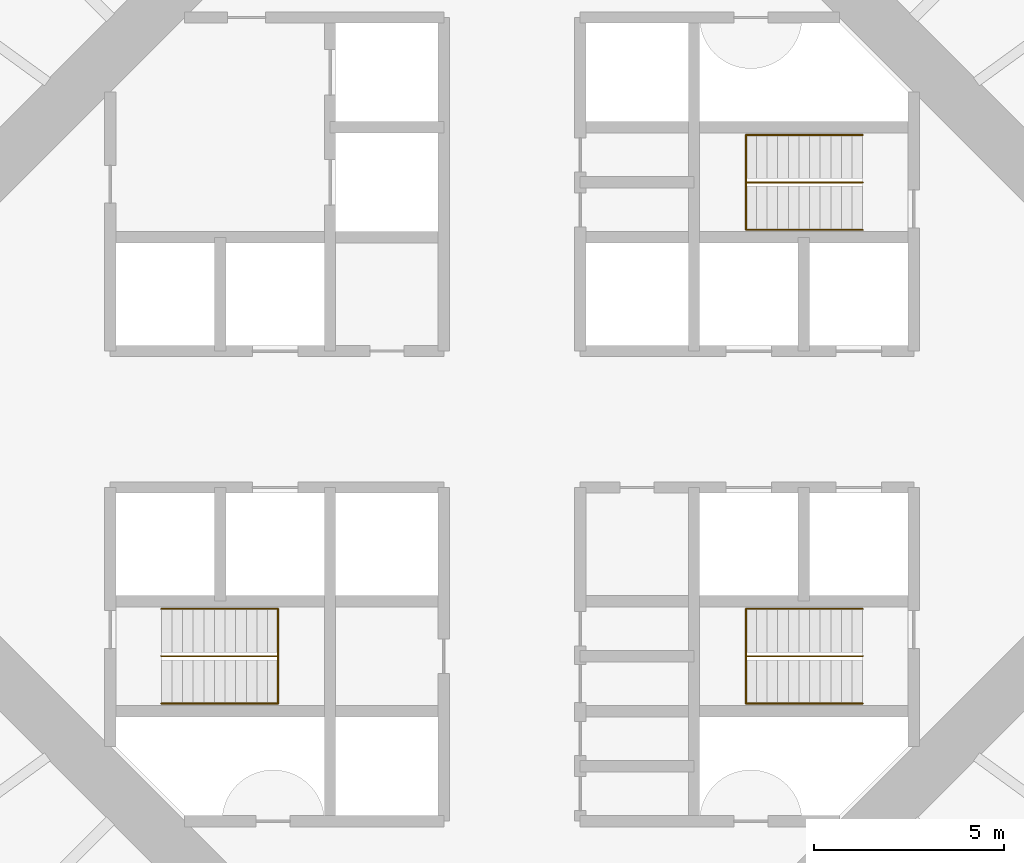
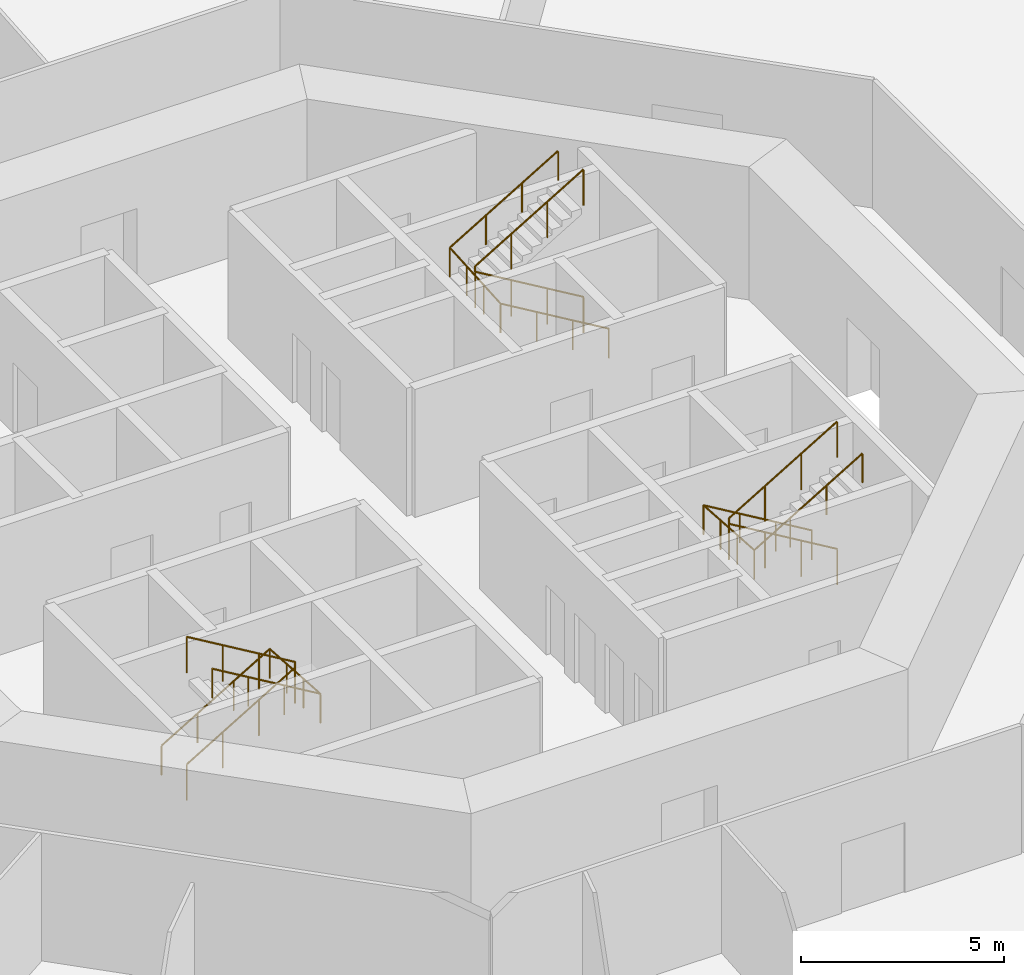
# One storey, part 13 of 13: 6 railings.
"""IFC4 building model written with IfcOpenShell, lengths in metres."""

from ifc_helpers import new_model, si_unit, direction, frame, origin, origin_2d, place, context, subcontext, project, spatial, circle, extrude, material, type_object, element, save


model = new_model("IFC4")

# Units and contexts
model_context = context("Model", 3, precision=1e-05, world=origin(), true_north=direction((0.0, 1.0)))
body_context = subcontext(model_context, "Body", "Model", "MODEL_VIEW")
ifc_project = project(units=[si_unit("LENGTHUNIT", "METRE"), si_unit("AREAUNIT", "SQUARE_METRE"), si_unit("VOLUMEUNIT", "CUBIC_METRE"), si_unit("PLANEANGLEUNIT", "RADIAN"), si_unit("MASSUNIT", "GRAM", prefix="KILO")], contexts=[model_context])

# Site, building, storey
site_placement = place(None, origin())
site = spatial("IfcSite", under=ifc_project, at=site_placement, CompositionType="ELEMENT")
building_placement = place(site_placement, origin())
building = spatial("IfcBuilding", under=site, at=building_placement, Name="Entoto Ring Tower", CompositionType="ELEMENT")
storey_placement = place(building_placement, frame((0.0, 0.0, 46.0)))
storey = spatial("IfcBuildingStorey", under=building, at=storey_placement, Name="L09", CompositionType="ELEMENT", Elevation=46.0)

# Railings
ifc_material_1 = material(Name="Steel S275", Category="steel")
railing_type_1 = type_object("IfcRailingType", Name="Stair guard 1100 mm steel", PredefinedType="GUARDRAIL", material=ifc_material_1)
railing_1_placement = place(storey_placement, frame((99.25, 86.25, 0.166748046875)))
element("IfcRailing", 1, at=railing_1_placement, inside=storey, type_object=railing_type_1, Name="Guard ST1", PredefinedType="GUARDRAIL", context=body_context, shape_type="SweptSolid", body=[
    extrude(circle(Radius=0.02392578125, at=origin_2d()), frame((0.0, 0.0, 1.076171875), z_axis=(-0.859308565015, 0.0, 0.511457515432), x_axis=(0.0, -1.0, 0.0)), (0.0, 0.0, 1.0), 3.58447265625),
    extrude(circle(Radius=0.02392578125, at=origin_2d()), frame((-3.080078125, 0.0, 2.9091796875), z_axis=(0.0, 0.0, 1.0), x_axis=(1.0, 0.0, 0.0)), (0.0, 0.0, 1.0), 0.166748046875),
    extrude(circle(Radius=0.02392578125, at=origin_2d()), frame((-3.080078125, 0.0, 3.076171875), z_axis=(0.859308565015, 0.0, 0.511457515432), x_axis=(0.0, 1.0, 0.0)), (0.0, 0.0, 1.0), 3.58447265625),
    extrude(circle(Radius=0.02099609375, at=origin_2d()), origin(), (0.0, 0.0, 1.0), 1.052001953125),
    extrude(circle(Radius=0.02099609375, at=origin_2d()), frame((-1.026611328125, 0.0, 0.611083984375)), (0.0, 0.0, 1.0), 1.052001953125),
    extrude(circle(Radius=0.02099609375, at=origin_2d()), frame((-2.053466796875, 0.0, 1.22216796875)), (0.0, 0.0, 1.0), 1.052001953125),
    extrude(circle(Radius=0.02099609375, at=origin_2d()), frame((-3.080078125, 0.0, 1.833251953125)), (0.0, 0.0, 1.0), 1.052001953125),
    extrude(circle(Radius=0.02099609375, at=origin_2d()), frame((-3.080078125, 0.0, 2.0)), (0.0, 0.0, 1.0), 1.052001953125),
    extrude(circle(Radius=0.02099609375, at=origin_2d()), frame((-2.053466796875, 0.0, 2.611083984375)), (0.0, 0.0, 1.0), 1.052001953125),
    extrude(circle(Radius=0.02099609375, at=origin_2d()), frame((-1.026611328125, 0.0, 3.22216796875)), (0.0, 0.0, 1.0), 1.052001953125),
    extrude(circle(Radius=0.02099609375, at=origin_2d()), frame((0.0, 0.0, 3.833251953125)), (0.0, 0.0, 1.0), 1.052001953125),
])
railing_2_placement = place(storey_placement, frame((80.75, 73.75, 0.166748046875)))
element("IfcRailing", 2, at=railing_2_placement, inside=storey, type_object=railing_type_1, Name="Guard ST2", PredefinedType="GUARDRAIL", context=body_context, shape_type="SweptSolid", body=[
    extrude(circle(Radius=0.02392578125, at=origin_2d()), frame((0.0, 0.0, 1.076171875), z_axis=(0.859308565015, 0.0, 0.511457515432), x_axis=(0.0, 1.0, 0.0)), (0.0, 0.0, 1.0), 3.58447265625),
    extrude(circle(Radius=0.02392578125, at=origin_2d()), frame((3.080078125, 0.0, 2.9091796875), z_axis=(0.0, 0.0, 1.0), x_axis=(1.0, 0.0, 0.0)), (0.0, 0.0, 1.0), 0.166748046875),
    extrude(circle(Radius=0.02392578125, at=origin_2d()), frame((3.080078125, 0.0, 3.076171875), z_axis=(-0.859308565015, 0.0, 0.511457515432), x_axis=(0.0, -1.0, 0.0)), (0.0, 0.0, 1.0), 3.58447265625),
    extrude(circle(Radius=0.02099609375, at=origin_2d()), origin(), (0.0, 0.0, 1.0), 1.052001953125),
    extrude(circle(Radius=0.02099609375, at=origin_2d()), frame((1.026611328125, 0.0, 0.611083984375)), (0.0, 0.0, 1.0), 1.052001953125),
    extrude(circle(Radius=0.02099609375, at=origin_2d()), frame((2.053466796875, 0.0, 1.22216796875)), (0.0, 0.0, 1.0), 1.052001953125),
    extrude(circle(Radius=0.02099609375, at=origin_2d()), frame((3.080078125, 0.0, 1.833251953125)), (0.0, 0.0, 1.0), 1.052001953125),
    extrude(circle(Radius=0.02099609375, at=origin_2d()), frame((3.080078125, 0.0, 2.0)), (0.0, 0.0, 1.0), 1.052001953125),
    extrude(circle(Radius=0.02099609375, at=origin_2d()), frame((2.053466796875, 0.0, 2.611083984375)), (0.0, 0.0, 1.0), 1.052001953125),
    extrude(circle(Radius=0.02099609375, at=origin_2d()), frame((1.026611328125, 0.0, 3.22216796875)), (0.0, 0.0, 1.0), 1.052001953125),
    extrude(circle(Radius=0.02099609375, at=origin_2d()), frame((0.0, 0.0, 3.833251953125)), (0.0, 0.0, 1.0), 1.052001953125),
])
railing_3_placement = place(storey_placement, frame((99.25, 73.75, 0.166748046875)))
element("IfcRailing", 3, at=railing_3_placement, inside=storey, type_object=railing_type_1, Name="Guard ST3", PredefinedType="GUARDRAIL", context=body_context, shape_type="SweptSolid", body=[
    extrude(circle(Radius=0.02392578125, at=origin_2d()), frame((0.0, 0.0, 1.076171875), z_axis=(-0.859308565015, 0.0, 0.511457515432), x_axis=(0.0, -1.0, 0.0)), (0.0, 0.0, 1.0), 3.58447265625),
    extrude(circle(Radius=0.02392578125, at=origin_2d()), frame((-3.080078125, 0.0, 2.9091796875), z_axis=(0.0, 0.0, 1.0), x_axis=(1.0, 0.0, 0.0)), (0.0, 0.0, 1.0), 0.166748046875),
    extrude(circle(Radius=0.02392578125, at=origin_2d()), frame((-3.080078125, 0.0, 3.076171875), z_axis=(0.859308565015, 0.0, 0.511457515432), x_axis=(0.0, 1.0, 0.0)), (0.0, 0.0, 1.0), 3.58447265625),
    extrude(circle(Radius=0.02099609375, at=origin_2d()), origin(), (0.0, 0.0, 1.0), 1.052001953125),
    extrude(circle(Radius=0.02099609375, at=origin_2d()), frame((-1.026611328125, 0.0, 0.611083984375)), (0.0, 0.0, 1.0), 1.052001953125),
    extrude(circle(Radius=0.02099609375, at=origin_2d()), frame((-2.053466796875, 0.0, 1.22216796875)), (0.0, 0.0, 1.0), 1.052001953125),
    extrude(circle(Radius=0.02099609375, at=origin_2d()), frame((-3.080078125, 0.0, 1.833251953125)), (0.0, 0.0, 1.0), 1.052001953125),
    extrude(circle(Radius=0.02099609375, at=origin_2d()), frame((-3.080078125, 0.0, 2.0)), (0.0, 0.0, 1.0), 1.052001953125),
    extrude(circle(Radius=0.02099609375, at=origin_2d()), frame((-2.053466796875, 0.0, 2.611083984375)), (0.0, 0.0, 1.0), 1.052001953125),
    extrude(circle(Radius=0.02099609375, at=origin_2d()), frame((-1.026611328125, 0.0, 3.22216796875)), (0.0, 0.0, 1.0), 1.052001953125),
    extrude(circle(Radius=0.02099609375, at=origin_2d()), frame((0.0, 0.0, 3.833251953125)), (0.0, 0.0, 1.0), 1.052001953125),
])
ifc_material_2 = material(Name="Steel S275", Category="steel")
railing_type_2 = type_object("IfcRailingType", Name="Stair handrail 900 mm steel", PredefinedType="HANDRAIL", material=ifc_material_2)
railing_4_placement = place(storey_placement, frame((99.25, 85.0, 0.166748046875)))
element("IfcRailing", 4, at=railing_4_placement, inside=storey, type_object=railing_type_2, Name="Handrail ST1", PredefinedType="HANDRAIL", context=body_context, shape_type="SweptSolid", body=[
    extrude(circle(Radius=0.02392578125, at=origin_2d()), frame((0.0, 0.0, 0.8759765625), z_axis=(-0.859308565015, 0.0, 0.511457515432), x_axis=(0.0, -1.0, 0.0)), (0.0, 0.0, 1.0), 3.58447265625),
    extrude(circle(Radius=0.02392578125, at=origin_2d()), frame((-3.080078125, 0.0, 2.708984375), z_axis=(0.0, 0.997783001586, 0.066551346688), x_axis=(-1.0, 0.0, 0.0)), (0.0, 0.0, 1.0), 2.505615234375),
    extrude(circle(Radius=0.02392578125, at=origin_2d()), frame((-3.080078125, 2.5, 2.8759765625), z_axis=(0.859308565015, 0.0, 0.511457515432), x_axis=(0.0, 1.0, 0.0)), (0.0, 0.0, 1.0), 3.58447265625),
    extrude(circle(Radius=0.02099609375, at=origin_2d()), origin(), (0.0, 0.0, 1.0), 0.851806640625),
    extrude(circle(Radius=0.02099609375, at=origin_2d()), frame((-1.026611328125, 0.0, 0.611083984375)), (0.0, 0.0, 1.0), 0.851806640625),
    extrude(circle(Radius=0.02099609375, at=origin_2d()), frame((-2.053466796875, 0.0, 1.22216796875)), (0.0, 0.0, 1.0), 0.851806640625),
    extrude(circle(Radius=0.02099609375, at=origin_2d()), frame((-3.080078125, 0.0, 1.833251953125)), (0.0, 0.0, 1.0), 0.851806640625),
    extrude(circle(Radius=0.02099609375, at=origin_2d()), frame((-3.080078125, 0.833251953125, 1.888916015625)), (0.0, 0.0, 1.0), 0.851806640625),
    extrude(circle(Radius=0.02099609375, at=origin_2d()), frame((-3.080078125, 1.666748046875, 1.9443359375)), (0.0, 0.0, 1.0), 0.851806640625),
    extrude(circle(Radius=0.02099609375, at=origin_2d()), frame((-3.080078125, 2.5, 2.0)), (0.0, 0.0, 1.0), 0.851806640625),
    extrude(circle(Radius=0.02099609375, at=origin_2d()), frame((-2.053466796875, 2.5, 2.611083984375)), (0.0, 0.0, 1.0), 0.851806640625),
    extrude(circle(Radius=0.02099609375, at=origin_2d()), frame((-1.026611328125, 2.5, 3.22216796875)), (0.0, 0.0, 1.0), 0.851806640625),
    extrude(circle(Radius=0.02099609375, at=origin_2d()), frame((0.0, 2.5, 3.833251953125)), (0.0, 0.0, 1.0), 0.851806640625),
])
railing_5_placement = place(storey_placement, frame((80.75, 75.0, 0.166748046875)))
element("IfcRailing", 5, at=railing_5_placement, inside=storey, type_object=railing_type_2, Name="Handrail ST2", PredefinedType="HANDRAIL", context=body_context, shape_type="SweptSolid", body=[
    extrude(circle(Radius=0.02392578125, at=origin_2d()), frame((0.0, 0.0, 0.8759765625), z_axis=(0.859308565015, 0.0, 0.511457515432), x_axis=(0.0, 1.0, 0.0)), (0.0, 0.0, 1.0), 3.58447265625),
    extrude(circle(Radius=0.02392578125, at=origin_2d()), frame((3.080078125, 0.0, 2.708984375), z_axis=(0.0, -0.997783001586, 0.066551346688), x_axis=(1.0, 0.0, 0.0)), (0.0, 0.0, 1.0), 2.505615234375),
    extrude(circle(Radius=0.02392578125, at=origin_2d()), frame((3.080078125, -2.5, 2.8759765625), z_axis=(-0.859308565015, 0.0, 0.511457515432), x_axis=(0.0, -1.0, 0.0)), (0.0, 0.0, 1.0), 3.58447265625),
    extrude(circle(Radius=0.02099609375, at=origin_2d()), origin(), (0.0, 0.0, 1.0), 0.851806640625),
    extrude(circle(Radius=0.02099609375, at=origin_2d()), frame((1.026611328125, 0.0, 0.611083984375)), (0.0, 0.0, 1.0), 0.851806640625),
    extrude(circle(Radius=0.02099609375, at=origin_2d()), frame((2.053466796875, 0.0, 1.22216796875)), (0.0, 0.0, 1.0), 0.851806640625),
    extrude(circle(Radius=0.02099609375, at=origin_2d()), frame((3.080078125, 0.0, 1.833251953125)), (0.0, 0.0, 1.0), 0.851806640625),
    extrude(circle(Radius=0.02099609375, at=origin_2d()), frame((3.080078125, -0.833251953125, 1.888916015625)), (0.0, 0.0, 1.0), 0.851806640625),
    extrude(circle(Radius=0.02099609375, at=origin_2d()), frame((3.080078125, -1.666748046875, 1.9443359375)), (0.0, 0.0, 1.0), 0.851806640625),
    extrude(circle(Radius=0.02099609375, at=origin_2d()), frame((3.080078125, -2.5, 2.0)), (0.0, 0.0, 1.0), 0.851806640625),
    extrude(circle(Radius=0.02099609375, at=origin_2d()), frame((2.053466796875, -2.5, 2.611083984375)), (0.0, 0.0, 1.0), 0.851806640625),
    extrude(circle(Radius=0.02099609375, at=origin_2d()), frame((1.026611328125, -2.5, 3.22216796875)), (0.0, 0.0, 1.0), 0.851806640625),
    extrude(circle(Radius=0.02099609375, at=origin_2d()), frame((0.0, -2.5, 3.833251953125)), (0.0, 0.0, 1.0), 0.851806640625),
])
railing_6_placement = place(storey_placement, frame((99.25, 75.0, 0.166748046875)))
element("IfcRailing", 6, at=railing_6_placement, inside=storey, type_object=railing_type_2, Name="Handrail ST3", PredefinedType="HANDRAIL", context=body_context, shape_type="SweptSolid", body=[
    extrude(circle(Radius=0.02392578125, at=origin_2d()), frame((0.0, 0.0, 0.8759765625), z_axis=(-0.859308565015, 0.0, 0.511457515432), x_axis=(0.0, -1.0, 0.0)), (0.0, 0.0, 1.0), 3.58447265625),
    extrude(circle(Radius=0.02392578125, at=origin_2d()), frame((-3.080078125, 0.0, 2.708984375), z_axis=(0.0, -0.997783001586, 0.066551346688), x_axis=(1.0, 0.0, 0.0)), (0.0, 0.0, 1.0), 2.505615234375),
    extrude(circle(Radius=0.02392578125, at=origin_2d()), frame((-3.080078125, -2.5, 2.8759765625), z_axis=(0.859308565015, 0.0, 0.511457515432), x_axis=(0.0, 1.0, 0.0)), (0.0, 0.0, 1.0), 3.58447265625),
    extrude(circle(Radius=0.02099609375, at=origin_2d()), origin(), (0.0, 0.0, 1.0), 0.851806640625),
    extrude(circle(Radius=0.02099609375, at=origin_2d()), frame((-1.026611328125, 0.0, 0.611083984375)), (0.0, 0.0, 1.0), 0.851806640625),
    extrude(circle(Radius=0.02099609375, at=origin_2d()), frame((-2.053466796875, 0.0, 1.22216796875)), (0.0, 0.0, 1.0), 0.851806640625),
    extrude(circle(Radius=0.02099609375, at=origin_2d()), frame((-3.080078125, 0.0, 1.833251953125)), (0.0, 0.0, 1.0), 0.851806640625),
    extrude(circle(Radius=0.02099609375, at=origin_2d()), frame((-3.080078125, -0.833251953125, 1.888916015625)), (0.0, 0.0, 1.0), 0.851806640625),
    extrude(circle(Radius=0.02099609375, at=origin_2d()), frame((-3.080078125, -1.666748046875, 1.9443359375)), (0.0, 0.0, 1.0), 0.851806640625),
    extrude(circle(Radius=0.02099609375, at=origin_2d()), frame((-3.080078125, -2.5, 2.0)), (0.0, 0.0, 1.0), 0.851806640625),
    extrude(circle(Radius=0.02099609375, at=origin_2d()), frame((-2.053466796875, -2.5, 2.611083984375)), (0.0, 0.0, 1.0), 0.851806640625),
    extrude(circle(Radius=0.02099609375, at=origin_2d()), frame((-1.026611328125, -2.5, 3.22216796875)), (0.0, 0.0, 1.0), 0.851806640625),
    extrude(circle(Radius=0.02099609375, at=origin_2d()), frame((0.0, -2.5, 3.833251953125)), (0.0, 0.0, 1.0), 0.851806640625),
])

save(model, "model.ifc")
